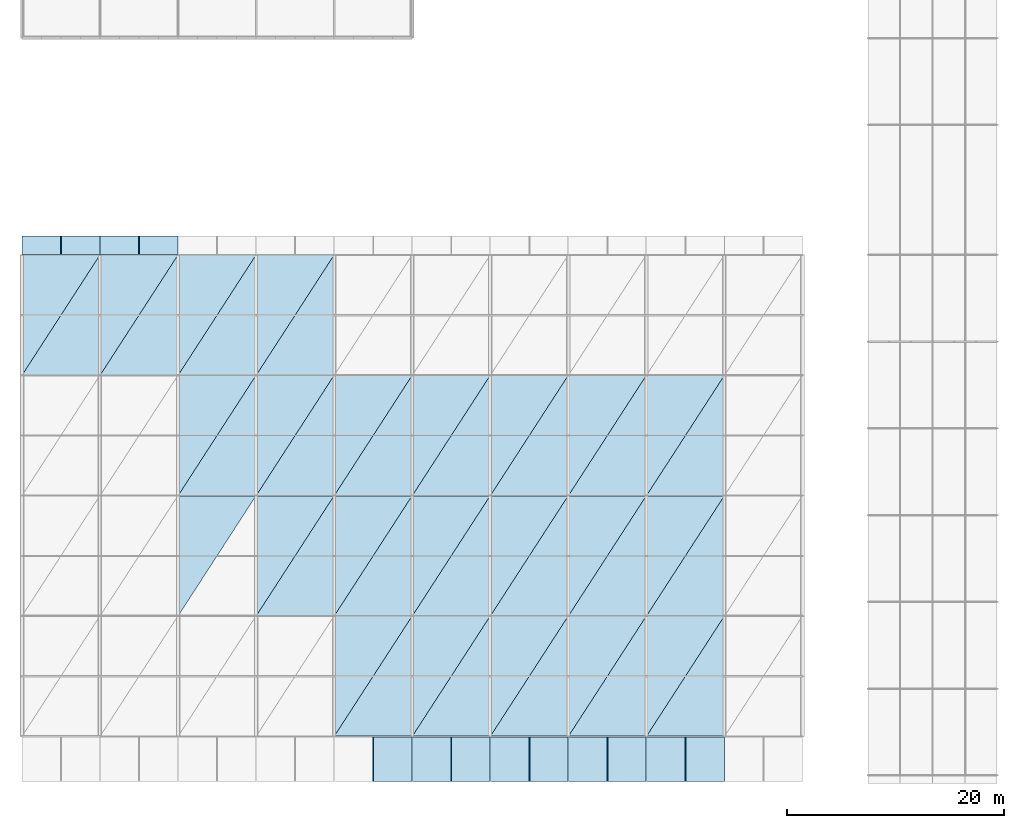
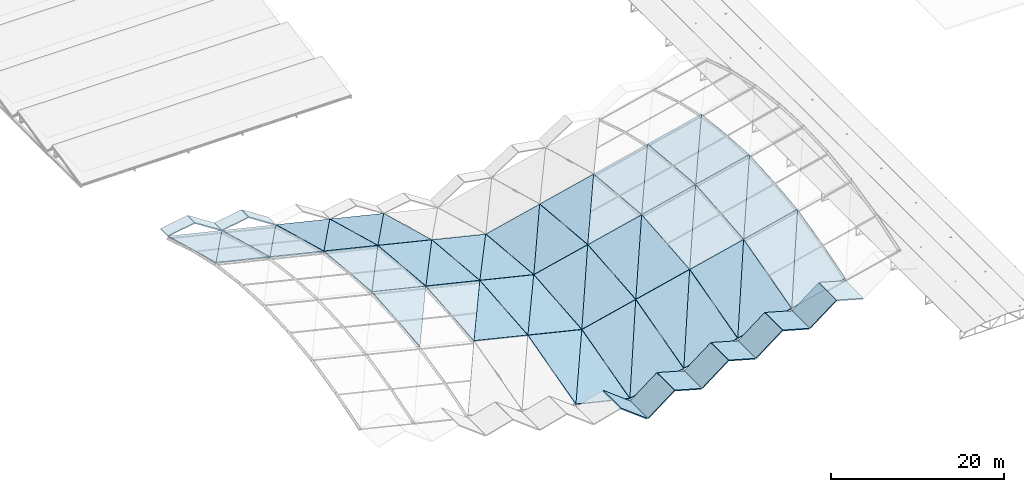
# One storey, part 49 of 54: 58 slabs.
"""IFC4 building model written with IfcOpenShell, lengths in metres."""

import ifcopenshell
import ifcopenshell.guid

model = None  # the IFC model being written
_history = None  # IfcOwnerHistory: only IFC2X3 demands one
_inside = {}  # id of a spatial element -> (the spatial element, [elements in it])
_under = {}  # id of a project, library or spatial element -> (it, [spatial elements below it])
_declared = {}  # id of a project -> (the project, [libraries it declares])
_typed = {}  # id of a type object -> (the type object, [elements of that type])
_made_of = {}  # id of a material, layer set ... -> (it, [elements and type objects made of it])


def new_model(schema):
    """Start an empty IFC model of exactly this schema.

    Asked for "IFC4X3", IfcOpenShell would pick the latest addendum, in which some entities
    have other attributes; the version numbers below select the first issue.
    IFC2X3 requires an IfcOwnerHistory on every rooted entity: one is made here for all.
    """
    global model, _history
    if schema == "IFC4X3":
        model = ifcopenshell.file(schema_version=(4, 3, 0, 0))
    else:
        model = ifcopenshell.file(schema=schema)
    _inside.clear()
    _under.clear()
    _declared.clear()
    _typed.clear()
    _made_of.clear()
    _history = None
    if model.schema == "IFC2X3":
        org = make("IfcOrganization", Name="unknown")
        user = make(
            "IfcPersonAndOrganization",
            ThePerson=make("IfcPerson", FamilyName="unknown"),
            TheOrganization=org,
        )
        app = make(
            "IfcApplication",
            ApplicationDeveloper=org,
            Version="unknown",
            ApplicationFullName="unknown",
            ApplicationIdentifier="unknown",
        )
        _history = make(
            "IfcOwnerHistory",
            OwningUser=user,
            OwningApplication=app,
            ChangeAction="ADDED",
            CreationDate=0,
        )
    return model


def make(cls, **values):
    """One entity of the class cls with the attributes given. An attribute that is None is left unset."""
    return model.create_entity(
        cls, **{name: value for name, value in values.items() if value is not None}
    )


def rooted(cls, **values):
    """An entity with a GlobalId (a new one), such as an element, a storey or a relation."""
    return make(cls, GlobalId=ifcopenshell.guid.new(), OwnerHistory=_history, **values)


def si_unit(unit_type, name, prefix=None):
    """IfcSIUnit, for example si_unit("LENGTHUNIT", "METRE", prefix="MILLI")."""
    return make("IfcSIUnit", UnitType=unit_type, Prefix=prefix, Name=name)


def derived_unit(unit_type, elements):
    """IfcDerivedUnit: a product of units, each with its exponent."""
    return make(
        "IfcDerivedUnit",
        Elements=[
            make("IfcDerivedUnitElement", Unit=unit, Exponent=power)
            for unit, power in elements
        ],
        UnitType=unit_type,
    )


def assignment(units):
    """IfcUnitAssignment: the units of a project."""
    return None if units is None else make("IfcUnitAssignment", Units=units)


def point(xyz):
    """IfcCartesianPoint."""
    return None if xyz is None else make("IfcCartesianPoint", Coordinates=xyz)


def direction(xyz):
    """IfcDirection."""
    return None if xyz is None else make("IfcDirection", DirectionRatios=xyz)


def frame(location, z_axis=None, x_axis=None):
    """IfcAxis2Placement3D, a coordinate frame: its origin and axes. An axis left out is left unset."""
    return make(
        "IfcAxis2Placement3D",
        Location=point(location),
        Axis=direction(z_axis),
        RefDirection=direction(x_axis),
    )


def origin():
    """The frame at (0, 0, 0) with its axes left unset."""
    return frame((0.0, 0.0, 0.0))


def place(relative_to, where):
    """IfcLocalPlacement: puts the frame where relative to a parent placement (None: the world)."""
    return make(
        "IfcLocalPlacement", PlacementRelTo=relative_to, RelativePlacement=where
    )


def context(
    kind, dimensions, precision=None, world=None, true_north=None, identifier=None
):
    """IfcGeometricRepresentationContext, for example the 3D "Model" context."""
    return make(
        "IfcGeometricRepresentationContext",
        ContextIdentifier=identifier,
        ContextType=kind,
        CoordinateSpaceDimension=dimensions,
        Precision=precision,
        WorldCoordinateSystem=world,
        TrueNorth=true_north,
    )


def subcontext(parent, identifier, kind, view, scale=None):
    """IfcGeometricRepresentationSubContext, for example "Body" below "Model"."""
    return make(
        "IfcGeometricRepresentationSubContext",
        ContextIdentifier=identifier,
        ContextType=kind,
        ParentContext=parent,
        TargetScale=scale,
        TargetView=view,
    )


def project(units=None, contexts=None):
    """IfcProject with its units and contexts."""
    return rooted(
        "IfcProject",
        Name="project",
        RepresentationContexts=contexts,
        UnitsInContext=assignment(units),
    )


def spatial(cls, under=None, at=None, **own):
    """A site, building, storey or space (cls), placed at a placement, below another one or the project."""
    s = rooted(cls, ObjectPlacement=at, **own)
    if under is not None:
        _under.setdefault(under.id(), (under, []))[1].append(s)
    return s


def polyline(points):
    """IfcPolyline through the points."""
    return make("IfcPolyline", Points=[point(p) for p in points])


def outline(outer, holes=None, kind="AREA"):
    """IfcArbitraryClosedProfileDef: a profile drawn as a closed curve; with holes, ...WithVoids."""
    if holes is None:
        return make("IfcArbitraryClosedProfileDef", ProfileType=kind, OuterCurve=outer)
    return make(
        "IfcArbitraryProfileDefWithVoids",
        ProfileType=kind,
        OuterCurve=outer,
        InnerCurves=holes,
    )


def extrude(swept, where, along, depth):
    """IfcExtrudedAreaSolid: the profile swept, set in the frame where, extruded along a direction by depth."""
    return make(
        "IfcExtrudedAreaSolid",
        SweptArea=swept,
        Position=where,
        ExtrudedDirection=direction(along),
        Depth=depth,
    )


def shape(context_of_items, identifier, shape_type, items):
    """IfcShapeRepresentation: the items that make up one representation, for example the "Body"."""
    return make(
        "IfcShapeRepresentation",
        ContextOfItems=context_of_items,
        RepresentationIdentifier=identifier,
        RepresentationType=shape_type,
        Items=items,
    )


def material(Name=None, Category=None):
    """IfcMaterial."""
    return make("IfcMaterial", Name=Name, Category=Category)


def layer(
    of_material, thickness, ventilated=None, Name=None, Category=None, Priority=None
):
    """IfcMaterialLayer: one layer of a wall or slab, of a material (None: an air gap)."""
    return make(
        "IfcMaterialLayer",
        Material=of_material,
        LayerThickness=thickness,
        IsVentilated=ventilated,
        Name=Name,
        Category=Category,
        Priority=Priority,
    )


def layer_set(layers, Name=None):
    """IfcMaterialLayerSet."""
    return make("IfcMaterialLayerSet", MaterialLayers=layers, LayerSetName=Name)


def made_of(thing, what):
    """Note that an element or type object is made of a material, layer set ...; save() writes the relation."""
    if what is not None:
        _made_of.setdefault(what.id(), (what, []))[1].append(thing)
    return thing


def type_object(cls, material=None, **own):
    """A type object (cls), such as IfcWallType, which elements share."""
    return made_of(rooted(cls, **own), material)


def element(
    cls,
    number,
    at=None,
    inside=None,
    cuts=None,
    type_object=None,
    material=None,
    context=None,
    identifier="Body",
    shape_type=None,
    held_by="IfcProductDefinitionShape",
    body=None,
    shapes=None,
    **own,
):
    """One element of the class cls, such as IfcWall. Its Tag is "e" and its number.

    at: its placement. inside: the storey or other place that contains it. cuts: it is an
    opening in that element (IfcRelVoidsElement). A single representation is given by context,
    identifier, shape_type and body (its items); several are given by shapes. held_by: the class
    of the entity that holds the representations. save() writes the other relations.
    """
    e = rooted(cls, Tag="e%d" % number, ObjectPlacement=at, **own)
    if body is not None:
        shapes = [shape(context, identifier, shape_type, body)]
    if shapes is not None:
        e.Representation = make(held_by, Representations=shapes)
    if inside is not None:
        _inside.setdefault(inside.id(), (inside, []))[1].append(e)
    if cuts is not None:
        rooted(
            "IfcRelVoidsElement", RelatingBuildingElement=cuts, RelatedOpeningElement=e
        )
    if type_object is not None:
        _typed.setdefault(type_object.id(), (type_object, []))[1].append(e)
    return made_of(e, material)


def aggregate(whole, parts):
    """IfcRelAggregates: a whole, such as a stair, and the parts it consists of."""
    return rooted("IfcRelAggregates", RelatingObject=whole, RelatedObjects=parts)


def save(model, path):
    """Write the relations noted so far, then the file.

    IfcRelAggregates (storeys below a building ...), IfcRelContainedInSpatialStructure (elements
    in a storey), IfcRelDefinesByType, IfcRelAssociatesMaterial and IfcRelDeclares: one each for
    every whole, place, type object, material and project.
    """
    for whole, parts in _under.values():
        aggregate(whole, parts)
    for where, things in _inside.values():
        rooted(
            "IfcRelContainedInSpatialStructure",
            RelatedElements=things,
            RelatingStructure=where,
        )
    for kind, things in _typed.values():
        rooted("IfcRelDefinesByType", RelatedObjects=things, RelatingType=kind)
    for what, things in _made_of.values():
        rooted("IfcRelAssociatesMaterial", RelatedObjects=things, RelatingMaterial=what)
    for by, libraries in _declared.values():
        rooted("IfcRelDeclares", RelatingContext=by, RelatedDefinitions=libraries)
    model.write(path)


model = new_model("IFC4")

# Units and contexts
model_context = context("Model", 3, precision=1e-05, world=origin(), true_north=direction((0.0, 1.0)))
body_context = subcontext(model_context, "Body", "Model", "MODEL_VIEW")
ifc_project = project(units=[si_unit("LENGTHUNIT", "METRE"), si_unit("AREAUNIT", "SQUARE_METRE"), si_unit("VOLUMEUNIT", "CUBIC_METRE"), si_unit("PLANEANGLEUNIT", "RADIAN"), si_unit("MASSUNIT", "GRAM", prefix="KILO"), derived_unit("THERMALTRANSMITTANCEUNIT", [(si_unit("POWERUNIT", "WATT"), 1), (si_unit("LENGTHUNIT", "METRE"), -2), (si_unit("THERMODYNAMICTEMPERATUREUNIT", "KELVIN"), -1)])], contexts=[model_context])

# Site, building, storey
site_placement = place(None, origin())
site = spatial("IfcSite", under=ifc_project, at=site_placement, CompositionType="ELEMENT")
building_placement = place(site_placement, origin())
building = spatial("IfcBuilding", under=site, at=building_placement, Name="Keldorne Ridge Multi-Sports Centre", CompositionType="ELEMENT")
storey_placement = place(building_placement, frame((0.0, 0.0, 22.199951171875)))
storey = spatial("IfcBuildingStorey", under=building, at=storey_placement, Name="ROOF", CompositionType="ELEMENT", Elevation=22.199951171875)

# Slabs
ifc_material = material(Name="Steel S355", Category="steel")
ifc_layer_1 = layer(ifc_material, 0.14990234375)
ifc_layer_set_1 = layer_set([ifc_layer_1], Name="Steel S355")
slab_type_1 = type_object("IfcSlabType", Name="SLB-SL-R02", PredefinedType="ROOF", material=ifc_layer_set_1)
slab_1_placement = place(storey_placement, frame((6.02001953125, 42.919921875, 1.99169921875), z_axis=(0.22471939422, 0.254240074336, 0.940671663474), x_axis=(0.972631216488, 0.0, -0.23235429136)))
element("IfcSlab", 1, at=slab_1_placement, inside=storey, type_object=slab_type_1, Name="Main Hall upswept roof facet 007", PredefinedType="ROOF", context=body_context, shape_type="SweptSolid", body=[
    extrude(outline(polyline([(0.0, 0.0), (7.36138424101726, 0.0), (8.055951121732946, 11.435826826906238), (0.0, 0.0)])), origin(), (0.0, 0.0, -1.0), 0.14990234375),
])
slab_2_placement = place(storey_placement, frame((6.02001953125, 42.919921875, 1.99169921875), z_axis=(0.22471939422, 0.254240074336, 0.940671663474), x_axis=(0.511844891887, 0.790656981358, -0.33597074944)))
element("IfcSlab", 2, at=slab_2_placement, inside=storey, type_object=slab_type_1, Name="Main Hall upswept roof facet 008", PredefinedType="ROOF", context=body_context, shape_type="SweptSolid", body=[
    extrude(outline(polyline([(0.0, 0.0), (13.98844107435631, 3.0531133177191805e-16), (9.749015728908438, 6.018076992218647), (0.0, 0.0)])), origin(), (0.0, 0.0, -1.0), 0.14990234375),
])
slab_3_placement = place(storey_placement, frame((13.219970703125, 42.919921875, 0.271728515625), z_axis=(0.22471939422, 0.254240074336, 0.940671663474), x_axis=(0.972631216488, 0.0, -0.23235429136)))
element("IfcSlab", 3, at=slab_3_placement, inside=storey, type_object=slab_type_1, Name="Main Hall upswept roof facet 015", PredefinedType="ROOF", context=body_context, shape_type="SweptSolid", body=[
    extrude(outline(polyline([(0.0, 0.0), (7.36138424101726, 0.0), (8.055951121732946, 11.435826826906238), (0.0, 0.0)])), origin(), (0.0, 0.0, -1.0), 0.14990234375),
])
slab_4_placement = place(storey_placement, frame((13.219970703125, 42.919921875, 0.271728515625), z_axis=(0.22471939422, 0.254240074336, 0.940671663474), x_axis=(0.511844891887, 0.790656981358, -0.33597074944)))
element("IfcSlab", 4, at=slab_4_placement, inside=storey, type_object=slab_type_1, Name="Main Hall upswept roof facet 016", PredefinedType="ROOF", context=body_context, shape_type="SweptSolid", body=[
    extrude(outline(polyline([(0.0, 0.0), (13.98844107435631, 3.0531133177191805e-16), (9.749015728908438, 6.018076992218647), (0.0, 0.0)])), origin(), (0.0, 0.0, -1.0), 0.14990234375),
])
slab_5_placement = place(storey_placement, frame((20.419921875, 20.719970703125, -1.441162109375), z_axis=(0.231428757995, -0.087285248296, 0.968928281868), x_axis=(0.542650485065, 0.838214411975, -0.054102223756)))
element("IfcSlab", 5, at=slab_5_placement, inside=storey, type_object=slab_type_1, Name="Main Hall upswept roof facet 020", PredefinedType="ROOF", context=body_context, shape_type="SweptSolid", body=[
    extrude(outline(polyline([(0.0, 0.0), (13.194784575088235, 5.551115123125783e-17), (9.216796415078251, 6.194210937034593), (0.0, 0.0)])), origin(), (0.0, 0.0, -1.0), 0.14990234375),
])
slab_6_placement = place(storey_placement, frame((20.419921875, 31.820068359375, -0.44482421875), z_axis=(0.231428286954, 0.087308386049, 0.968926309749), x_axis=(0.97264050115, 0.0, -0.232315422482)))
element("IfcSlab", 6, at=slab_6_placement, inside=storey, type_object=slab_type_1, Name="Main Hall upswept roof facet 021", PredefinedType="ROOF", context=body_context, shape_type="SweptSolid", body=[
    extrude(outline(polyline([(0.0, 0.0), (7.361564978566623, -2.7755575615628914e-17), (7.593086354194518, 11.102210110387498), (0.0, 0.0)])), origin(), (0.0, 0.0, -1.0), 0.14990234375),
])
slab_7_placement = place(storey_placement, frame((20.419921875, 31.820068359375, -0.44482421875), z_axis=(0.23145998689, 0.087286492975, 0.968920710179), x_axis=(0.532336660719, 0.822264834535, -0.201241699311)))
element("IfcSlab", 7, at=slab_7_placement, inside=storey, type_object=slab_type_1, Name="Main Hall upswept roof facet 022", PredefinedType="ROOF", context=body_context, shape_type="SweptSolid", body=[
    extrude(outline(polyline([(0.0, 0.0), (13.450428607202277, 1.1102230246251565e-16), (9.294601231483135, 6.076394726937998), (0.0, 0.0)])), origin(), (0.0, 0.0, -1.0), 0.14990234375),
])
slab_8_placement = place(storey_placement, frame((20.419921875, 42.919921875, -1.4482421875), z_axis=(0.224712118856, 0.254240512096, 0.940673283159), x_axis=(0.972633006933, 0.0, -0.23234679646)))
element("IfcSlab", 8, at=slab_8_placement, inside=storey, type_object=slab_type_1, Name="Main Hall upswept roof facet 023", PredefinedType="ROOF", context=body_context, shape_type="SweptSolid", body=[
    extrude(outline(polyline([(0.0, 0.0), (7.361621700028911, 0.0), (8.056166176555447, 11.435828187626027), (0.0, 0.0)])), origin(), (0.0, 0.0, -1.0), 0.14990234375),
])
slab_9_placement = place(storey_placement, frame((20.419921875, 42.919921875, -1.4482421875), z_axis=(0.224712118856, 0.254240512096, 0.940673283159), x_axis=(0.511857772306, 0.790649918202, -0.335967748121)))
element("IfcSlab", 9, at=slab_9_placement, inside=storey, type_object=slab_type_1, Name="Main Hall upswept roof facet 024", PredefinedType="ROOF", context=body_context, shape_type="SweptSolid", body=[
    extrude(outline(polyline([(0.0, 0.0), (13.98856603806044, 6.106226635438361e-16), (9.748928638272139, 6.018218072872804), (0.0, 0.0)])), origin(), (0.0, 0.0, -1.0), 0.14990234375),
])
slab_10_placement = place(storey_placement, frame((27.6201171875, 20.719970703125, -3.1611328125), z_axis=(0.231467495358, -0.087284421434, 0.968919103108), x_axis=(0.972631216488, 0.0, -0.23235429136)))
element("IfcSlab", 10, at=slab_10_placement, inside=storey, type_object=slab_type_1, Name="Main Hall upswept roof facet 027", PredefinedType="ROOF", context=body_context, shape_type="SweptSolid", body=[
    extrude(outline(polyline([(0.0, 0.0), (7.36138424101726, 0.0), (7.129880856486003, 11.10243178193088), (0.0, 0.0)])), origin(), (0.0, 0.0, -1.0), 0.14990234375),
])
slab_11_placement = place(storey_placement, frame((27.6201171875, 20.719970703125, -3.1611328125), z_axis=(0.231467495358, -0.087284421434, 0.968919103108), x_axis=(0.542636887264, 0.838221988845, -0.054121215782)))
element("IfcSlab", 11, at=slab_11_placement, inside=storey, type_object=slab_type_1, Name="Main Hall upswept roof facet 028", PredefinedType="ROOF", context=body_context, shape_type="SweptSolid", body=[
    extrude(outline(polyline([(0.0, 0.0), (13.19466530458861, 8.326672684688674e-16), (9.216861293219402, 6.194114399252915), (0.0, 0.0)])), origin(), (0.0, 0.0, -1.0), 0.14990234375),
])
slab_12_placement = place(storey_placement, frame((27.6201171875, 31.820068359375, -2.164794921875), z_axis=(0.231467456431, 0.08728633352, 0.968918940157), x_axis=(0.972631216488, 0.0, -0.23235429136)))
element("IfcSlab", 12, at=slab_12_placement, inside=storey, type_object=slab_type_1, Name="Main Hall upswept roof facet 029", PredefinedType="ROOF", context=body_context, shape_type="SweptSolid", body=[
    extrude(outline(polyline([(0.0, 0.0), (7.36138424101726, 2.7755575615628914e-17), (7.592887625548517, 11.10218857310568), (0.0, 0.0)])), origin(), (0.0, 0.0, -1.0), 0.14990234375),
])
slab_13_placement = place(storey_placement, frame((27.6201171875, 31.820068359375, -2.164794921875), z_axis=(0.231467456431, 0.08728633352, 0.968918940157), x_axis=(0.532323653102, 0.822272779663, -0.201243643808)))
element("IfcSlab", 13, at=slab_13_placement, inside=storey, type_object=slab_type_1, Name="Main Hall upswept roof facet 030", PredefinedType="ROOF", context=body_context, shape_type="SweptSolid", body=[
    extrude(outline(polyline([(0.0, 0.0), (13.450298643785054, 1.27675647831893e-15), (9.294691040502975, 6.076257350659322), (0.0, 0.0)])), origin(), (0.0, 0.0, -1.0), 0.14990234375),
])
slab_14_placement = place(storey_placement, frame((27.6201171875, 42.919921875, -3.16845703125), z_axis=(0.224688938377, 0.254241906772, 0.940678443365), x_axis=(0.972638711175, 0.0, -0.232322916486)))
element("IfcSlab", 14, at=slab_14_placement, inside=storey, type_object=slab_type_1, Name="Main Hall upswept roof facet 031", PredefinedType="ROOF", context=body_context, shape_type="SweptSolid", body=[
    extrude(outline(polyline([(0.0, 0.0), (7.361327517725271, 0.0), (8.05580061085319, 11.435832522807285), (0.0, 0.0)])), origin(), (0.0, 0.0, -1.0), 0.14990234375),
])
slab_15_placement = place(storey_placement, frame((27.6201171875, 42.919921875, -3.16845703125), z_axis=(0.224720580511, 0.254220651894, 0.940676629265), x_axis=(0.511847893144, 0.790661617458, -0.335955266312)))
element("IfcSlab", 15, at=slab_15_placement, inside=storey, type_object=slab_type_1, Name="Main Hall upswept roof facet 032", PredefinedType="ROOF", context=body_context, shape_type="SweptSolid", body=[
    extrude(outline(polyline([(0.0, 0.0), (13.988359052137586, -6.106226635438361e-16), (9.74893870106168, 6.018080510493417), (0.0, 0.0)])), origin(), (0.0, 0.0, -1.0), 0.14990234375),
])
slab_16_placement = place(storey_placement, frame((34.820068359375, 9.6201171875, -7.87744140625), z_axis=(0.224719073575, -0.254245323801, 0.940670321259), x_axis=(0.972631216488, 0.0, -0.23235429136)))
element("IfcSlab", 16, at=slab_16_placement, inside=storey, type_object=slab_type_1, Name="Main Hall upswept roof facet 033", PredefinedType="ROOF", context=body_context, shape_type="SweptSolid", body=[
    extrude(outline(polyline([(0.0, 0.0), (7.36138424101726, 0.0), (6.666817360301574, 11.435590708632322), (0.0, 0.0)])), origin(), (0.0, 0.0, -1.0), 0.14990234375),
])
slab_17_placement = place(storey_placement, frame((34.820068359375, 9.6201171875, -7.87744140625), z_axis=(0.224689803964, -0.25422773336, 0.940682067218), x_axis=(0.54089984726, 0.835520304864, 0.096608360894)))
element("IfcSlab", 17, at=slab_17_placement, inside=storey, type_object=slab_type_1, Name="Main Hall upswept roof facet 034", PredefinedType="ROOF", context=body_context, shape_type="SweptSolid", body=[
    extrude(outline(polyline([(0.0, 0.0), (13.23703851210596, 5.551115123125783e-16), (9.52946325513969, 6.3594833545777), (0.0, 0.0)])), origin(), (0.0, 0.0, -1.0), 0.14990234375),
])
slab_18_placement = place(storey_placement, frame((34.820068359375, 20.719970703125, -4.881103515625), z_axis=(0.231467495358, -0.087284421434, 0.968919103108), x_axis=(0.972631216488, 0.0, -0.23235429136)))
element("IfcSlab", 18, at=slab_18_placement, inside=storey, type_object=slab_type_1, Name="Main Hall upswept roof facet 035", PredefinedType="ROOF", context=body_context, shape_type="SweptSolid", body=[
    extrude(outline(polyline([(0.0, 0.0), (7.36138424101726, 0.0), (7.129880856486003, 11.10243178193088), (0.0, 0.0)])), origin(), (0.0, 0.0, -1.0), 0.14990234375),
])
slab_19_placement = place(storey_placement, frame((34.820068359375, 20.719970703125, -4.881103515625), z_axis=(0.231467495358, -0.087284421434, 0.968919103108), x_axis=(0.542636887264, 0.838221988845, -0.054121215782)))
element("IfcSlab", 19, at=slab_19_placement, inside=storey, type_object=slab_type_1, Name="Main Hall upswept roof facet 036", PredefinedType="ROOF", context=body_context, shape_type="SweptSolid", body=[
    extrude(outline(polyline([(0.0, 0.0), (13.19466530458861, 8.326672684688674e-16), (9.216861293219402, 6.194114399252915), (0.0, 0.0)])), origin(), (0.0, 0.0, -1.0), 0.14990234375),
])
slab_20_placement = place(storey_placement, frame((34.820068359375, 31.820068359375, -3.884765625), z_axis=(0.231467456431, 0.08728633352, 0.968918940157), x_axis=(0.972631216488, 0.0, -0.23235429136)))
element("IfcSlab", 20, at=slab_20_placement, inside=storey, type_object=slab_type_1, Name="Main Hall upswept roof facet 037", PredefinedType="ROOF", context=body_context, shape_type="SweptSolid", body=[
    extrude(outline(polyline([(0.0, 0.0), (7.36138424101726, 2.7755575615628914e-17), (7.592887625548517, 11.10218857310568), (0.0, 0.0)])), origin(), (0.0, 0.0, -1.0), 0.14990234375),
])
slab_21_placement = place(storey_placement, frame((34.820068359375, 31.820068359375, -3.884765625), z_axis=(0.231467456431, 0.08728633352, 0.968918940157), x_axis=(0.532323653102, 0.822272779663, -0.201243643808)))
element("IfcSlab", 21, at=slab_21_placement, inside=storey, type_object=slab_type_1, Name="Main Hall upswept roof facet 038", PredefinedType="ROOF", context=body_context, shape_type="SweptSolid", body=[
    extrude(outline(polyline([(0.0, 0.0), (13.450298643785054, 1.27675647831893e-15), (9.294691040502975, 6.076257350659322), (0.0, 0.0)])), origin(), (0.0, 0.0, -1.0), 0.14990234375),
])
slab_22_placement = place(storey_placement, frame((42.02001953125, 9.6201171875, -9.587890625), z_axis=(-0.224720259913, -0.254225901013, 0.940675287248), x_axis=(0.972631216488, 0.0, 0.23235429136)))
element("IfcSlab", 22, at=slab_22_placement, inside=storey, type_object=slab_type_1, Name="Main Hall upswept roof facet 041", PredefinedType="ROOF", context=body_context, shape_type="SweptSolid", body=[
    extrude(outline(polyline([(0.0, 0.0), (7.36138424101726, 0.0), (8.05589439461103, 11.435530338150633), (0.0, 0.0)])), origin(), (0.0, 0.0, -1.0), 0.14990234375),
])
slab_23_placement = place(storey_placement, frame((42.02001953125, 9.6201171875, -9.587890625), z_axis=(-0.22468861777, -0.254247156269, 0.940677101121), x_axis=(0.511854956467, 0.790655074944, 0.335959902377)))
element("IfcSlab", 23, at=slab_23_placement, inside=storey, type_object=slab_type_1, Name="Main Hall upswept roof facet 042", PredefinedType="ROOF", context=body_context, shape_type="SweptSolid", body=[
    extrude(outline(polyline([(0.0, 0.0), (13.988166020314775, 8.049116928532385e-16), (9.748769188174006, 6.018027693759319), (0.0, 0.0)])), origin(), (0.0, 0.0, -1.0), 0.14990234375),
])
slab_24_placement = place(storey_placement, frame((42.02001953125, 20.719970703125, -6.591552734375), z_axis=(-0.231467495358, -0.087284421434, 0.968919103108), x_axis=(0.972631216488, 0.0, 0.23235429136)))
element("IfcSlab", 24, at=slab_24_placement, inside=storey, type_object=slab_type_1, Name="Main Hall upswept roof facet 043", PredefinedType="ROOF", context=body_context, shape_type="SweptSolid", body=[
    extrude(outline(polyline([(0.0, 0.0), (7.36138424101726, 0.0), (7.592887625548517, 11.10243178193088), (0.0, 0.0)])), origin(), (0.0, 0.0, -1.0), 0.14990234375),
])
slab_25_placement = place(storey_placement, frame((42.02001953125, 20.719970703125, -6.591552734375), z_axis=(-0.231467495358, -0.087284421434, 0.968919103108), x_axis=(0.532315708084, 0.822278658153, 0.201240640213)))
element("IfcSlab", 25, at=slab_25_placement, inside=storey, type_object=slab_type_1, Name="Main Hall upswept roof facet 044", PredefinedType="ROOF", context=body_context, shape_type="SweptSolid", body=[
    extrude(outline(polyline([(0.0, 0.0), (13.450499394692997, -8.881784197001252e-16), (9.294953814535482, 6.076299768373068), (0.0, 0.0)])), origin(), (0.0, 0.0, -1.0), 0.14990234375),
])
slab_26_placement = place(storey_placement, frame((42.02001953125, 31.820068359375, -5.59521484375), z_axis=(-0.231467456431, 0.08728633352, 0.968918940157), x_axis=(0.972631216488, 0.0, 0.23235429136)))
element("IfcSlab", 26, at=slab_26_placement, inside=storey, type_object=slab_type_1, Name="Main Hall upswept roof facet 045", PredefinedType="ROOF", context=body_context, shape_type="SweptSolid", body=[
    extrude(outline(polyline([(0.0, 0.0), (7.36138424101726, -2.7755575615628914e-17), (7.129880856486003, 11.10218857310568), (0.0, 0.0)])), origin(), (0.0, 0.0, -1.0), 0.14990234375),
])
slab_27_placement = place(storey_placement, frame((42.02001953125, 31.820068359375, -5.59521484375), z_axis=(-0.231467456431, 0.08728633352, 0.968918940157), x_axis=(0.542645303451, 0.838216486228, 0.054122055191)))
element("IfcSlab", 27, at=slab_27_placement, inside=storey, type_object=slab_type_1, Name="Main Hall upswept roof facet 046", PredefinedType="ROOF", context=body_context, shape_type="SweptSolid", body=[
    extrude(outline(polyline([(0.0, 0.0), (13.194460661220067, 2.498001805406602e-16), (9.216594954929542, 6.194074778900804), (0.0, 0.0)])), origin(), (0.0, 0.0, -1.0), 0.14990234375),
])
slab_28_placement = place(storey_placement, frame((49.219970703125, 9.6201171875, -7.867919921875), z_axis=(-0.224720259913, -0.254225901013, 0.940675287248), x_axis=(0.972631216488, 0.0, 0.23235429136)))
element("IfcSlab", 28, at=slab_28_placement, inside=storey, type_object=slab_type_1, Name="Main Hall upswept roof facet 049", PredefinedType="ROOF", context=body_context, shape_type="SweptSolid", body=[
    extrude(outline(polyline([(0.0, 0.0), (7.36138424101726, 0.0), (8.05589439461103, 11.435530338150633), (0.0, 0.0)])), origin(), (0.0, 0.0, -1.0), 0.14990234375),
])
slab_29_placement = place(storey_placement, frame((49.219970703125, 9.6201171875, -7.867919921875), z_axis=(-0.22468861777, -0.254247156269, 0.940677101121), x_axis=(0.511854956467, 0.790655074944, 0.335959902377)))
element("IfcSlab", 29, at=slab_29_placement, inside=storey, type_object=slab_type_1, Name="Main Hall upswept roof facet 050", PredefinedType="ROOF", context=body_context, shape_type="SweptSolid", body=[
    extrude(outline(polyline([(0.0, 0.0), (13.988166020314775, 8.049116928532385e-16), (9.748769188174006, 6.018027693759319), (0.0, 0.0)])), origin(), (0.0, 0.0, -1.0), 0.14990234375),
])
slab_30_placement = place(storey_placement, frame((49.219970703125, 20.719970703125, -4.87158203125), z_axis=(-0.231467495358, -0.087284421434, 0.968919103108), x_axis=(0.972631216488, 0.0, 0.23235429136)))
element("IfcSlab", 30, at=slab_30_placement, inside=storey, type_object=slab_type_1, Name="Main Hall upswept roof facet 051", PredefinedType="ROOF", context=body_context, shape_type="SweptSolid", body=[
    extrude(outline(polyline([(0.0, 0.0), (7.36138424101726, 0.0), (7.592887625548517, 11.10243178193088), (0.0, 0.0)])), origin(), (0.0, 0.0, -1.0), 0.14990234375),
])
slab_31_placement = place(storey_placement, frame((49.219970703125, 20.719970703125, -4.87158203125), z_axis=(-0.231467495358, -0.087284421434, 0.968919103108), x_axis=(0.532315708084, 0.822278658153, 0.201240640213)))
element("IfcSlab", 31, at=slab_31_placement, inside=storey, type_object=slab_type_1, Name="Main Hall upswept roof facet 052", PredefinedType="ROOF", context=body_context, shape_type="SweptSolid", body=[
    extrude(outline(polyline([(0.0, 0.0), (13.450499394692997, -8.881784197001252e-16), (9.294953814535482, 6.076299768373068), (0.0, 0.0)])), origin(), (0.0, 0.0, -1.0), 0.14990234375),
])
slab_32_placement = place(storey_placement, frame((49.219970703125, 31.820068359375, -3.875244140625), z_axis=(-0.231467456431, 0.08728633352, 0.968918940157), x_axis=(0.972631216488, 0.0, 0.23235429136)))
element("IfcSlab", 32, at=slab_32_placement, inside=storey, type_object=slab_type_1, Name="Main Hall upswept roof facet 053", PredefinedType="ROOF", context=body_context, shape_type="SweptSolid", body=[
    extrude(outline(polyline([(0.0, 0.0), (7.36138424101726, -2.7755575615628914e-17), (7.129880856486003, 11.10218857310568), (0.0, 0.0)])), origin(), (0.0, 0.0, -1.0), 0.14990234375),
])
slab_33_placement = place(storey_placement, frame((49.219970703125, 31.820068359375, -3.875244140625), z_axis=(-0.231467456431, 0.08728633352, 0.968918940157), x_axis=(0.542645303451, 0.838216486228, 0.054122055191)))
element("IfcSlab", 33, at=slab_33_placement, inside=storey, type_object=slab_type_1, Name="Main Hall upswept roof facet 054", PredefinedType="ROOF", context=body_context, shape_type="SweptSolid", body=[
    extrude(outline(polyline([(0.0, 0.0), (13.194460661220067, 2.498001805406602e-16), (9.216594954929542, 6.194074778900804), (0.0, 0.0)])), origin(), (0.0, 0.0, -1.0), 0.14990234375),
])
slab_34_placement = place(storey_placement, frame((56.419921875, 9.6201171875, -6.14794921875), z_axis=(-0.22471179822, -0.254245761569, 0.940671940936), x_axis=(0.972633006933, 0.0, 0.23234679646)))
element("IfcSlab", 34, at=slab_34_placement, inside=storey, type_object=slab_type_1, Name="Main Hall upswept roof facet 057", PredefinedType="ROOF", context=body_context, shape_type="SweptSolid", body=[
    extrude(outline(polyline([(0.0, 0.0), (7.361621700028911, 0.0), (8.056166176555447, 11.435592069380204), (0.0, 0.0)])), origin(), (0.0, 0.0, -1.0), 0.14990234375),
])
slab_35_placement = place(storey_placement, frame((56.419921875, 9.6201171875, -6.14794921875), z_axis=(-0.22471179822, -0.254245761569, 0.940671940936), x_axis=(0.511864835556, 0.790643375462, 0.335972384222)))
element("IfcSlab", 35, at=slab_35_placement, inside=storey, type_object=slab_type_1, Name="Main Hall upswept roof facet 058", PredefinedType="ROOF", context=body_context, shape_type="SweptSolid", body=[
    extrude(outline(polyline([(0.0, 0.0), (13.988373009093925, 3.885780586188048e-16), (9.748677105516428, 6.018176858445152), (0.0, 0.0)])), origin(), (0.0, 0.0, -1.0), 0.14990234375),
])
slab_36_placement = place(storey_placement, frame((56.419921875, 20.719970703125, -3.151611328125), z_axis=(-0.231460025817, -0.087284580885, 0.968920873131), x_axis=(0.972633006933, 0.0, 0.23234679646)))
element("IfcSlab", 36, at=slab_36_placement, inside=storey, type_object=slab_type_1, Name="Main Hall upswept roof facet 059", PredefinedType="ROOF", context=body_context, shape_type="SweptSolid", body=[
    extrude(outline(polyline([(0.0, 0.0), (7.361621700028911, 2.7755575615628914e-17), (7.593117617107055, 11.102431937636656), (0.0, 0.0)])), origin(), (0.0, 0.0, -1.0), 0.14990234375),
])
slab_37_placement = place(storey_placement, frame((56.419921875, 20.719970703125, -3.151611328125), z_axis=(-0.231428325895, -0.087306473487, 0.968926472784), x_axis=(0.532328715661, 0.822270713205, 0.201238695804)))
element("IfcSlab", 37, at=slab_37_placement, inside=storey, type_object=slab_type_1, Name="Main Hall upswept roof facet 060", PredefinedType="ROOF", context=body_context, shape_type="SweptSolid", body=[
    extrude(outline(polyline([(0.0, 0.0), (13.450629356170516, 1.942890293094024e-15), (9.29491313619843, 6.0764020302083), (0.0, 0.0)])), origin(), (0.0, 0.0, -1.0), 0.14990234375),
])
slab_38_placement = place(storey_placement, frame((56.419921875, 31.820068359375, -2.155029296875), z_axis=(-0.231428719073, 0.0872871604, 0.968928118912), x_axis=(0.97264050115, 0.0, 0.232315422482)))
element("IfcSlab", 38, at=slab_38_placement, inside=storey, type_object=slab_type_1, Name="Main Hall upswept roof facet 061", PredefinedType="ROOF", context=body_context, shape_type="SweptSolid", body=[
    extrude(outline(polyline([(0.0, 0.0), (7.361564978566623, 0.0), (7.13010032057117, 11.102189380565745), (0.0, 0.0)])), origin(), (0.0, 0.0, -1.0), 0.14990234375),
])
slab_39_placement = place(storey_placement, frame((56.419921875, 31.820068359375, -2.155029296875), z_axis=(-0.231459554719, 0.087307718464, 0.968918901057), x_axis=(0.54265890131, 0.838208909174, 0.054103062856)))
element("IfcSlab", 39, at=slab_39_placement, inside=storey, type_object=slab_type_1, Name="Main Hall upswept roof facet 062", PredefinedType="ROOF", context=body_context, shape_type="SweptSolid", body=[
    extrude(outline(polyline([(0.0, 0.0), (13.194579933569536, -1.6653345369377348e-16), (9.21651686814197, 6.194230242880674), (0.0, 0.0)])), origin(), (0.0, 0.0, -1.0), 0.14990234375),
])
slab_40_placement = place(storey_placement, frame((63.6201171875, 9.6201171875, -4.427978515625), z_axis=(-0.224719073575, -0.254245323801, 0.940670321259), x_axis=(0.972631216488, 0.0, 0.23235429136)))
element("IfcSlab", 40, at=slab_40_placement, inside=storey, type_object=slab_type_1, Name="Main Hall upswept roof facet 065", PredefinedType="ROOF", context=body_context, shape_type="SweptSolid", body=[
    extrude(outline(polyline([(0.0, 0.0), (7.36138424101726, 0.0), (8.055951121732946, 11.435590708632322), (0.0, 0.0)])), origin(), (0.0, 0.0, -1.0), 0.14990234375),
])
slab_41_placement = place(storey_placement, frame((63.6201171875, 9.6201171875, -4.427978515625), z_axis=(-0.224719073575, -0.254245323801, 0.940670321259), x_axis=(0.511851955086, 0.790650438754, 0.335975385665)))
element("IfcSlab", 41, at=slab_41_placement, inside=storey, type_object=slab_type_1, Name="Main Hall upswept roof facet 066", PredefinedType="ROOF", context=body_context, shape_type="SweptSolid", body=[
    extrude(outline(polyline([(0.0, 0.0), (13.988248043665372, -2.7755575615628914e-17), (9.748764196309251, 6.0180357802113305), (0.0, 0.0)])), origin(), (0.0, 0.0, -1.0), 0.14990234375),
])
slab_42_placement = place(storey_placement, frame((63.6201171875, 20.719970703125, -1.431640625), z_axis=(-0.231467495358, -0.087284421434, 0.968919103108), x_axis=(0.972631216488, 0.0, 0.23235429136)))
element("IfcSlab", 42, at=slab_42_placement, inside=storey, type_object=slab_type_1, Name="Main Hall upswept roof facet 067", PredefinedType="ROOF", context=body_context, shape_type="SweptSolid", body=[
    extrude(outline(polyline([(0.0, 0.0), (7.36138424101726, 0.0), (7.592887625548517, 11.10243178193088), (0.0, 0.0)])), origin(), (0.0, 0.0, -1.0), 0.14990234375),
])
slab_43_placement = place(storey_placement, frame((63.6201171875, 20.719970703125, -1.431640625), z_axis=(-0.231435794529, -0.087306314039, 0.968924703235), x_axis=(0.532315708084, 0.822278658153, 0.201240640213)))
element("IfcSlab", 43, at=slab_43_placement, inside=storey, type_object=slab_type_1, Name="Main Hall upswept roof facet 068", PredefinedType="ROOF", context=body_context, shape_type="SweptSolid", body=[
    extrude(outline(polyline([(0.0, 0.0), (13.450499394692997, 1.1102230246251565e-16), (9.29500294555116, 6.076264648975461), (0.0, 0.0)])), origin(), (0.0, 0.0, -1.0), 0.14990234375),
])
slab_44_placement = place(storey_placement, frame((63.6201171875, 31.820068359375, -0.43505859375), z_axis=(-0.231436187719, 0.087287000987, 0.968926349354), x_axis=(0.972638711175, 0.0, 0.232322916486)))
element("IfcSlab", 44, at=slab_44_placement, inside=storey, type_object=slab_type_1, Name="Main Hall upswept roof facet 069", PredefinedType="ROOF", context=body_context, shape_type="SweptSolid", body=[
    extrude(outline(polyline([(0.0, 0.0), (7.361327517725271, 0.0), (7.129855393169976, 11.102189224896215), (0.0, 0.0)])), origin(), (0.0, 0.0, -1.0), 0.14990234375),
])
slab_45_placement = place(storey_placement, frame((63.6201171875, 31.820068359375, -0.43505859375), z_axis=(-0.231467024247, 0.087307558971, 0.968917131045), x_axis=(0.542645846782, 0.838217325505, 0.054103606096)))
element("IfcSlab", 45, at=slab_45_placement, inside=storey, type_object=slab_type_1, Name="Main Hall upswept roof facet 070", PredefinedType="ROOF", context=body_context, shape_type="SweptSolid", body=[
    extrude(outline(polyline([(0.0, 0.0), (13.194447450079771, -2.7755575615628914e-16), (9.21660940982079, 6.194092546076936), (0.0, 0.0)])), origin(), (0.0, 0.0, -1.0), 0.14990234375),
])
ifc_layer_2 = layer(ifc_material, 0.139892578125)
ifc_layer_set_2 = layer_set([ifc_layer_2], Name="Steel S355")
slab_type_2 = type_object("IfcSlabType", Name="SLB-SL-R03", PredefinedType="ROOF", material=ifc_layer_set_2)
slab_46_placement = place(storey_placement, frame((6.02001953125, 54.050048828125, -1.004638671875), z_axis=(-0.1656782175, 0.0, 0.986179866072), x_axis=(0.986179866072, 0.0, 0.1656782175)))
element("IfcSlab", 46, at=slab_46_placement, inside=storey, type_object=slab_type_2, Name="North hall gable roof bay 1W", PredefinedType="ROOF", context=body_context, shape_type="SweptSolid", body=[
    extrude(outline(polyline([(0.0, 0.0), (3.5896484853212227, 0.0), (3.5896484853212227, 1.699951171875), (0.0, 1.699951171875), (0.0, 0.0)])), origin(), (0.0, 0.0, -1.0), 0.139892578125),
])
slab_47_placement = place(storey_placement, frame((9.639892578125, 54.050048828125, -0.409912109375), z_axis=(0.545678834365, 0.0, 0.837994397193), x_axis=(0.837994397193, 0.0, -0.545678834365)))
element("IfcSlab", 47, at=slab_47_placement, inside=storey, type_object=slab_type_2, Name="North hall gable roof bay 1E", PredefinedType="ROOF", context=body_context, shape_type="SweptSolid", body=[
    extrude(outline(polyline([(0.0, 0.0), (4.224418533536589, 0.0), (4.224418533536589, 1.699951171875), (0.0, 1.699951171875), (0.0, 0.0)])), origin(), (0.0, 0.0, -1.0), 0.139892578125),
])
slab_48_placement = place(storey_placement, frame((13.219970703125, 54.050048828125, -2.724853515625), z_axis=(-0.165744361896, 0.0, 0.986168751533), x_axis=(0.986168751533, 0.0, 0.165744361896)))
element("IfcSlab", 48, at=slab_48_placement, inside=storey, type_object=slab_type_2, Name="North hall gable roof bay 2W", PredefinedType="ROOF", context=body_context, shape_type="SweptSolid", body=[
    extrude(outline(polyline([(0.0, 0.0), (3.589688942179104, 0.0), (3.589688942179104, 1.699951171875), (0.0, 1.699951171875), (0.0, 0.0)])), origin(), (0.0, 0.0, -1.0), 0.139892578125),
])
slab_49_placement = place(storey_placement, frame((16.840087890625, 54.050048828125, -2.1298828125), z_axis=(0.545705262585, 0.0, 0.837977187271), x_axis=(0.837977187271, 0.0, -0.545705262585)))
element("IfcSlab", 49, at=slab_49_placement, inside=storey, type_object=slab_type_2, Name="North hall gable roof bay 2E", PredefinedType="ROOF", context=body_context, shape_type="SweptSolid", body=[
    extrude(outline(polyline([(0.0, 0.0), (4.2242139471614815, 0.0), (4.2242139471614815, 1.699951171875), (0.0, 1.699951171875), (0.0, 0.0)])), origin(), (0.0, 0.0, -1.0), 0.139892578125),
])
for number, where, z_axis, x_axis, name in (
    (50, (38.43994140625, 5.449951171875, -7.18994140625), (0.607199903952, 0.0, 0.794549102725), (0.794549102725, 0.0, -0.607199903952), "South colonnade gable roof bay 5E"),
    (51, (42.02001953125, 5.449951171875, -9.895263671875), (-0.607199903952, 0.0, 0.794549102725), (0.794549102725, 0.0, 0.607199903952), "South colonnade gable roof bay 6W"),
):
    element("IfcSlab", number, at=place(storey_placement, frame(where, z_axis=z_axis, x_axis=x_axis)), inside=storey, type_object=slab_type_2, Name=name, PredefinedType="ROOF", context=body_context, shape_type="SweptSolid", body=[
        extrude(outline(polyline([(0.0, 0.0), (4.455406280566596, 0.0), (4.455406280566596, 4.10009765625), (0.0, 4.10009765625), (0.0, 0.0)])), origin(), (0.0, 0.0, -1.0), 0.139892578125),
    ])
slab_50_placement = place(storey_placement, frame((45.639892578125, 5.449951171875, -7.18994140625), z_axis=(0.270553300899, 0.0, 0.962704997064), x_axis=(0.962704997064, 0.0, -0.270553300899)))
element("IfcSlab", 52, at=slab_50_placement, inside=storey, type_object=slab_type_2, Name="South colonnade gable roof bay 6E", PredefinedType="ROOF", context=body_context, shape_type="SweptSolid", body=[
    extrude(outline(polyline([(0.0, 0.0), (3.6771794820791963, 0.0), (3.6771794820791963, 4.100097656250001), (0.0, 4.100097656250001), (0.0, 0.0)])), origin(), (0.0, 0.0, -1.0), 0.139892578125),
])
slab_51_placement = place(storey_placement, frame((49.219970703125, 5.449951171875, -8.175048828125), z_axis=(-0.607165308747, 0.0, 0.794575539426), x_axis=(0.794575539426, 0.0, 0.607165308747)))
element("IfcSlab", 53, at=slab_51_placement, inside=storey, type_object=slab_type_2, Name="South colonnade gable roof bay 7W", PredefinedType="ROOF", context=body_context, shape_type="SweptSolid", body=[
    extrude(outline(polyline([(0.0, 0.0), (4.4552580426255215, 0.0), (4.4552580426255215, 4.10009765625), (0.0, 4.10009765625), (0.0, 0.0)])), origin(), (0.0, 0.0, -1.0), 0.139892578125),
])
slab_52_placement = place(storey_placement, frame((52.840087890625, 5.449951171875, -5.469970703125), z_axis=(0.270570594998, 0.0, 0.962700136658), x_axis=(0.962700136658, 0.0, -0.270570594998)))
element("IfcSlab", 54, at=slab_52_placement, inside=storey, type_object=slab_type_2, Name="South colonnade gable roof bay 7E", PredefinedType="ROOF", context=body_context, shape_type="SweptSolid", body=[
    extrude(outline(polyline([(0.0, 0.0), (3.6769444472728146, 0.0), (3.6769444472728146, 4.10009765625), (0.0, 4.10009765625), (0.0, 0.0)])), origin(), (0.0, 0.0, -1.0), 0.139892578125),
])
slab_53_placement = place(storey_placement, frame((56.419921875, 5.449951171875, -6.455078125), z_axis=(-0.607165308747, 0.0, 0.794575539426), x_axis=(0.794575539426, 0.0, 0.607165308747)))
element("IfcSlab", 55, at=slab_53_placement, inside=storey, type_object=slab_type_2, Name="South colonnade gable roof bay 8W", PredefinedType="ROOF", context=body_context, shape_type="SweptSolid", body=[
    extrude(outline(polyline([(0.0, 0.0), (4.4552580426255215, 0.0), (4.4552580426255215, 4.10009765625), (0.0, 4.10009765625), (0.0, 0.0)])), origin(), (0.0, 0.0, -1.0), 0.139892578125),
])
slab_54_placement = place(storey_placement, frame((60.0400390625, 5.449951171875, -3.75), z_axis=(0.270553300899, 0.0, 0.962704997064), x_axis=(0.962704997064, 0.0, -0.270553300899)))
element("IfcSlab", 56, at=slab_54_placement, inside=storey, type_object=slab_type_2, Name="South colonnade gable roof bay 8E", PredefinedType="ROOF", context=body_context, shape_type="SweptSolid", body=[
    extrude(outline(polyline([(0.0, 0.0), (3.6771794820791963, 0.0), (3.6771794820791963, 4.100097656250001), (0.0, 4.100097656250001), (0.0, 0.0)])), origin(), (0.0, 0.0, -1.0), 0.139892578125),
])
slab_55_placement = place(storey_placement, frame((63.6201171875, 5.449951171875, -4.735107421875), z_axis=(-0.607191746389, 0.0, 0.794555336724), x_axis=(0.794555336724, 0.0, 0.607191746389)))
element("IfcSlab", 57, at=slab_55_placement, inside=storey, type_object=slab_type_2, Name="South colonnade gable roof bay 9W", PredefinedType="ROOF", context=body_context, shape_type="SweptSolid", body=[
    extrude(outline(polyline([(0.0, 0.0), (4.455064056922813, 0.0), (4.455064056922813, 4.100097656250001), (0.0, 4.100097656250001), (0.0, 0.0)])), origin(), (0.0, 0.0, -1.0), 0.139892578125),
])
slab_56_placement = place(storey_placement, frame((67.239990234375, 5.449951171875, -2.030029296875), z_axis=(0.270491765733, 0.0, 0.962722288446), x_axis=(0.962722288446, 0.0, -0.270491765733)))
element("IfcSlab", 58, at=slab_56_placement, inside=storey, type_object=slab_type_2, Name="South colonnade gable roof bay 9E", PredefinedType="ROOF", context=body_context, shape_type="SweptSolid", body=[
    extrude(outline(polyline([(0.0, 0.0), (3.6771134365387685, 0.0), (3.6771134365387685, 4.10009765625), (0.0, 4.10009765625), (0.0, 0.0)])), origin(), (0.0, 0.0, -1.0), 0.139892578125),
])

save(model, "model.ifc")
